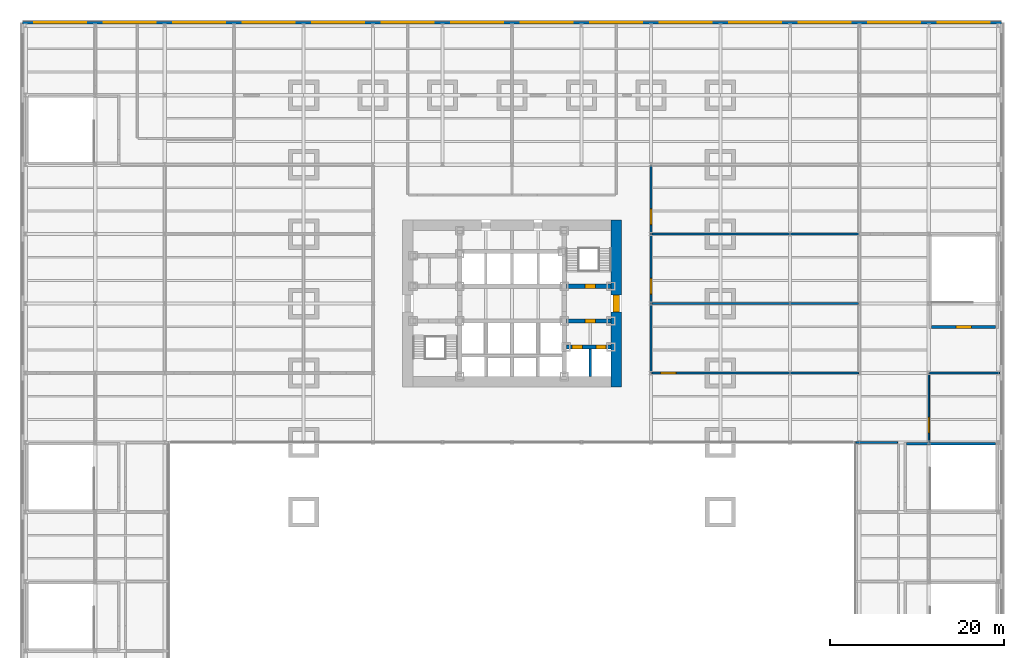
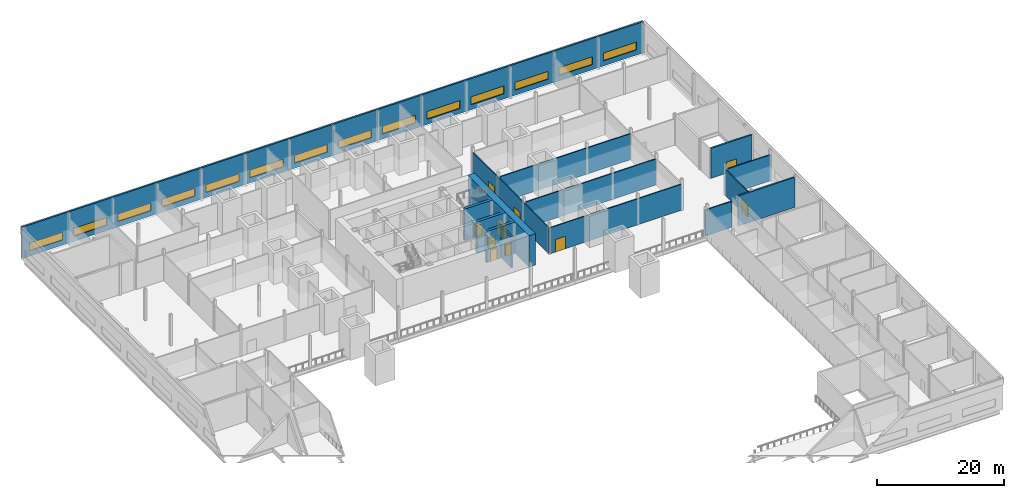
# One storey, part 16 of 21: 15 walls, 14 windows, 10 doors, 24 openings.
"""IFC4 building model written with IfcOpenShell, lengths in metres."""

from ifc_helpers import new_model, si_unit, direction, frame, frame_2d, origin, place, context, subcontext, project, spatial, rectangle, extrude, material, layer, layer_set, type_object, element, fill, save


model = new_model("IFC4")

# Units and contexts
model_context = context("Model", 3, precision=1e-05, world=origin(), true_north=direction((0.0, 1.0)))
body_context = subcontext(model_context, "Body", "Model", "MODEL_VIEW")
ifc_project = project(units=[si_unit("LENGTHUNIT", "METRE"), si_unit("AREAUNIT", "SQUARE_METRE"), si_unit("VOLUMEUNIT", "CUBIC_METRE"), si_unit("PLANEANGLEUNIT", "RADIAN"), si_unit("MASSUNIT", "GRAM", prefix="KILO")], contexts=[model_context])

# Site, building, storey
site_placement = place(None, origin())
site = spatial("IfcSite", under=ifc_project, at=site_placement, CompositionType="ELEMENT")
building_placement = place(site_placement, origin())
building = spatial("IfcBuilding", under=site, at=building_placement, Name="Daluyong Arena Tower", CompositionType="ELEMENT")
storey_placement = place(building_placement, frame((0.0, 0.0, 19.89990234375)))
storey = spatial("IfcBuildingStorey", under=building, at=storey_placement, Name="L04", CompositionType="ELEMENT", Elevation=19.89990234375)

# Wall, openings, doors
ifc_material_1 = material(Name="Concrete fc' 45 MPa", Category="concrete")
ifc_layer_1 = layer(ifc_material_1, 0.5)
ifc_layer_set_1 = layer_set([ifc_layer_1], Name="Concrete fc' 45 MPa")
wall_type_1 = type_object("IfcWallType", Name="Core inner wall 500", PredefinedType="SHEAR", material=ifc_layer_set_1)
wall_1_placement = place(storey_placement, frame((62.25, 75.0, 0.0), z_axis=(0.0, 0.0, 1.0), x_axis=(1.0, 0.0, 0.0)))
wall_1 = element("IfcWall", 1, at=wall_1_placement, inside=storey, type_object=wall_type_1, Name="core inner wall at L04", PredefinedType="SHEAR", context=body_context, shape_type="SweptSolid", body=[
    extrude(rectangle(XDim=5.14990234375, YDim=0.5, at=frame_2d((2.574951171875, 0.0))), origin(), (0.0, 0.0, 1.0), 6.0),
])
opening_1_placement = place(wall_1_placement, frame((0.64990234375, 0.0, 0.0)))
opening_1 = element("IfcOpeningElement", 2, at=opening_1_placement, cuts=wall_1, Name="Opening 04013", PredefinedType="OPENING", context=body_context, shape_type="SweptSolid", body=[
    extrude(rectangle(XDim=1.199951171875, YDim=2.199951171875, at=frame_2d((0.60009765625, 1.10009765625))), frame((0.0, 0.260009765625, 0.0), z_axis=(0.0, -1.0, 0.0), x_axis=(1.0, 0.0, 0.0)), (0.0, 0.0, 1.0), 0.52001953125),
])
opening_2_placement = place(wall_1_placement, frame((3.39990234375, 0.0, 0.0)))
opening_2 = element("IfcOpeningElement", 3, at=opening_2_placement, cuts=wall_1, Name="Opening 04014", PredefinedType="OPENING", context=body_context, shape_type="SweptSolid", body=[
    extrude(rectangle(XDim=1.199951171875, YDim=2.199951171875, at=frame_2d((0.60009765625, 1.10009765625))), frame((0.0, 0.260009765625, 0.0), z_axis=(0.0, -1.0, 0.0), x_axis=(1.0, 0.0, 0.0)), (0.0, 0.0, 1.0), 0.52001953125),
])
ifc_material_2 = material(Name="Steel door, fire rated", Category="steel")
door_type_1 = type_object("IfcDoorType", Name="Firefighting lift landing door 1200", OperationType="SLIDING_TO_LEFT", PredefinedType="DOOR", material=ifc_material_2)
door_1_placement = place(opening_1_placement, origin())
door_1 = element("IfcDoor", 4, at=door_1_placement, inside=storey, type_object=door_type_1, Name="firefighting lift landing door F1 04013", OperationType="SLIDING_TO_LEFT", OverallHeight=2.199951171875, OverallWidth=1.199951171875, PredefinedType="DOOR", context=body_context, shape_type="SweptSolid", body=[
    extrude(rectangle(XDim=1.199951171875, YDim=2.199951171875, at=frame_2d((0.60009765625, 1.10009765625))), frame((0.0, 0.249755859375, 0.0), z_axis=(0.0, -1.0, 0.0), x_axis=(1.0, 0.0, 0.0)), (0.0, 0.0, 1.0), 0.49951171875),
])
fill(opening_1, door_1)
door_2_placement = place(opening_2_placement, origin())
door_2 = element("IfcDoor", 5, at=door_2_placement, inside=storey, type_object=door_type_1, Name="firefighting lift landing door F2 04014", OperationType="SLIDING_TO_LEFT", OverallHeight=2.199951171875, OverallWidth=1.199951171875, PredefinedType="DOOR", context=body_context, shape_type="SweptSolid", body=[
    extrude(rectangle(XDim=1.199951171875, YDim=2.199951171875, at=frame_2d((0.60009765625, 1.10009765625))), frame((0.0, 0.249755859375, 0.0), z_axis=(0.0, -1.0, 0.0), x_axis=(1.0, 0.0, 0.0)), (0.0, 0.0, 1.0), 0.49951171875),
])
fill(opening_2, door_2)

# Wall, opening, door
wall_2_placement = place(storey_placement, frame((62.25, 78.0, 0.0), z_axis=(0.0, 0.0, 1.0), x_axis=(1.0, 0.0, 0.0)))
wall_2 = element("IfcWall", 6, at=wall_2_placement, inside=storey, type_object=wall_type_1, Name="core inner wall at L04", PredefinedType="SHEAR", context=body_context, shape_type="SweptSolid", body=[
    extrude(rectangle(XDim=5.14990234375, YDim=0.5, at=frame_2d((2.574951171875, 0.0))), origin(), (0.0, 0.0, 1.0), 6.0),
])
opening_3_placement = place(wall_2_placement, frame((2.14990234375, 0.0, 0.0)))
opening_3 = element("IfcOpeningElement", 7, at=opening_3_placement, cuts=wall_2, Name="Opening 04012", PredefinedType="OPENING", context=body_context, shape_type="SweptSolid", body=[
    extrude(rectangle(XDim=1.199951171875, YDim=2.10009765625, at=frame_2d((0.60009765625, 1.050048828125))), frame((0.0, 0.260009765625, 0.0), z_axis=(0.0, -1.0, 0.0), x_axis=(1.0, 0.0, 0.0)), (0.0, 0.0, 1.0), 0.52001953125),
])
ifc_material_3 = material(Name="Steel door, fire rated", Category="steel")
door_type_2 = type_object("IfcDoorType", Name="Firefighting lobby door 1200", OperationType="SINGLE_SWING_RIGHT", PredefinedType="DOOR", material=ifc_material_3)
door_3_placement = place(opening_3_placement, origin())
door_3 = element("IfcDoor", 8, at=door_3_placement, inside=storey, type_object=door_type_2, Name="firefighting lobby door 04012", OperationType="SINGLE_SWING_RIGHT", OverallHeight=2.10009765625, OverallWidth=1.199951171875, PredefinedType="DOOR", context=body_context, shape_type="SweptSolid", body=[
    extrude(rectangle(XDim=1.199951171875, YDim=2.10009765625, at=frame_2d((0.60009765625, 1.050048828125))), frame((0.0, 0.249755859375, 0.0), z_axis=(0.0, -1.0, 0.0), x_axis=(1.0, 0.0, 0.0)), (0.0, 0.0, 1.0), 0.49951171875),
])
fill(opening_3, door_3)

wall_3_placement = place(storey_placement, frame((62.25, 82.0, 0.0), z_axis=(0.0, 0.0, 1.0), x_axis=(1.0, 0.0, 0.0)))
wall_3 = element("IfcWall", 9, at=wall_3_placement, inside=storey, type_object=wall_type_1, Name="core inner wall at L04", PredefinedType="SHEAR", context=body_context, shape_type="SweptSolid", body=[
    extrude(rectangle(XDim=5.14990234375, YDim=0.5, at=frame_2d((2.574951171875, 0.0))), origin(), (0.0, 0.0, 1.0), 6.0),
])
opening_4_placement = place(wall_3_placement, frame((2.14990234375, 0.0, 0.0)))
opening_4 = element("IfcOpeningElement", 10, at=opening_4_placement, cuts=wall_3, Name="Opening 04007", PredefinedType="OPENING", context=body_context, shape_type="SweptSolid", body=[
    extrude(rectangle(XDim=1.199951171875, YDim=2.10009765625, at=frame_2d((0.60009765625, 1.050048828125))), frame((0.0, 0.260009765625, 0.0), z_axis=(0.0, -1.0, 0.0), x_axis=(1.0, 0.0, 0.0)), (0.0, 0.0, 1.0), 0.52001953125),
])
ifc_material_4 = material(Name="Steel door, fire rated", Category="steel")
door_type_3 = type_object("IfcDoorType", Name="Stair door 1200", OperationType="SINGLE_SWING_LEFT", PredefinedType="DOOR", material=ifc_material_4)
door_4_placement = place(opening_4_placement, origin())
door_4 = element("IfcDoor", 11, at=door_4_placement, inside=storey, type_object=door_type_3, Name="stair B door 04007", OperationType="SINGLE_SWING_LEFT", OverallHeight=2.10009765625, OverallWidth=1.199951171875, PredefinedType="DOOR", context=body_context, shape_type="SweptSolid", body=[
    extrude(rectangle(XDim=1.199951171875, YDim=2.10009765625, at=frame_2d((0.60009765625, 1.050048828125))), frame((0.0, 0.249755859375, 0.0), z_axis=(0.0, -1.0, 0.0), x_axis=(1.0, 0.0, 0.0)), (0.0, 0.0, 1.0), 0.49951171875),
])
fill(opening_4, door_4)

ifc_material_5 = material(Name="Concrete fc' 60 MPa", Category="concrete")
ifc_layer_2 = layer(ifc_material_5, 1.199951171875)
ifc_layer_set_2 = layer_set([ifc_layer_2], Name="Concrete fc' 60 MPa")
wall_type_2 = type_object("IfcWallType", Name="Core wall 1200", PredefinedType="SHEAR", material=ifc_layer_set_2)
wall_4_placement = place(storey_placement, frame((68.0, 70.39990234375, 0.0), z_axis=(0.0, 0.0, 1.0), x_axis=(0.0, 1.0, 0.0)))
wall_4 = element("IfcWall", 12, at=wall_4_placement, inside=storey, type_object=wall_type_2, Name="core wall at L04", PredefinedType="SHEAR", context=body_context, shape_type="SweptSolid", body=[
    extrude(rectangle(XDim=19.2001953125, YDim=1.199951171875, at=frame_2d((9.60009765625, 0.0))), origin(), (0.0, 0.0, 1.0), 6.0),
])
opening_5_placement = place(wall_4_placement, frame((8.60009765625, 0.0, 0.0)))
opening_5 = element("IfcOpeningElement", 13, at=opening_5_placement, cuts=wall_4, Name="Opening 04009", PredefinedType="OPENING", context=body_context, shape_type="SweptSolid", body=[
    extrude(rectangle(XDim=2.0, YDim=2.39990234375, at=frame_2d((1.0, 1.199951171875))), frame((0.0, 0.60986328125, 0.0), z_axis=(0.0, -1.0, 0.0), x_axis=(1.0, 0.0, 0.0)), (0.0, 0.0, 1.0), 1.219970703125),
])
ifc_material_6 = material(Name="Steel door, fire rated", Category="steel")
door_type_4 = type_object("IfcDoorType", Name="Core lobby double door 2000", OperationType="DOUBLE_DOOR_SINGLE_SWING", PredefinedType="DOOR", material=ifc_material_6)
door_5_placement = place(opening_5_placement, origin())
door_5 = element("IfcDoor", 14, at=door_5_placement, inside=storey, type_object=door_type_4, Name="core lobby door east 04009", OperationType="DOUBLE_DOOR_SINGLE_SWING", OverallHeight=2.39990234375, OverallWidth=2.0, PredefinedType="DOOR", context=body_context, shape_type="SweptSolid", body=[
    extrude(rectangle(XDim=2.0, YDim=2.39990234375, at=frame_2d((1.0, 1.199951171875))), frame((0.0, 0.35009765625, 0.0), z_axis=(0.0, -1.0, 0.0), x_axis=(1.0, 0.0, 0.0)), (0.0, 0.0, 1.0), 0.699951171875),
])
fill(opening_5, door_5)

# Walls
ifc_material_7 = material(Name="Concrete fc' 45 MPa", Category="concrete")
ifc_layer_3 = layer(ifc_material_7, 0.300048828125)
ifc_layer_set_3 = layer_set([ifc_layer_3], Name="Concrete fc' 45 MPa")
wall_type_3 = type_object("IfcWallType", Name="Lift shaft wall 300", PredefinedType="SHEAR", material=ifc_layer_set_3)
wall_5_placement = place(storey_placement, frame((65.0, 71.60009765625, 0.0), z_axis=(0.0, 0.0, 1.0), x_axis=(0.0, 1.0, 0.0)))
element("IfcWall", 15, at=wall_5_placement, inside=storey, type_object=wall_type_3, Name="lift shaft wall at L04", PredefinedType="SHEAR", context=body_context, shape_type="SweptSolid", body=[
    extrude(rectangle(XDim=3.14990234375, YDim=0.300048828125, at=frame_2d((1.574951171875, 0.0))), origin(), (0.0, 0.0, 1.0), 6.0),
])
ifc_material_8 = material(Name="Concrete block partition", Category="concrete")
ifc_layer_4 = layer(ifc_material_8, 0.199951171875)
ifc_layer_set_4 = layer_set([ifc_layer_4], Name="Concrete block partition")
wall_type_4 = type_object("IfcWallType", Name="Partition 200", PredefinedType="PARTITIONING", material=ifc_layer_set_4)
wall_6_placement = place(storey_placement, frame((95.60009765625, 64.0, 0.0), z_axis=(0.0, 0.0, 1.0), x_axis=(1.0, 0.0, 0.0)))
element("IfcWall", 16, at=wall_6_placement, inside=storey, type_object=wall_type_4, Name="partition at L04", PredefinedType="PARTITIONING", context=body_context, shape_type="SweptSolid", body=[
    extrude(rectangle(XDim=4.7998046875, YDim=0.199951171875, at=frame_2d((2.39990234375, 0.0))), origin(), (0.0, 0.0, 1.0), 4.977783203125),
])

# Wall, opening, door
wall_7_placement = place(storey_placement, frame((72.10009765625, 72.0, 0.0), z_axis=(0.0, 0.0, 1.0), x_axis=(1.0, 0.0, 0.0)))
wall_7 = element("IfcWall", 17, at=wall_7_placement, inside=storey, type_object=wall_type_4, Name="partition at L04", PredefinedType="PARTITIONING", context=body_context, shape_type="SweptSolid", body=[
    extrude(rectangle(XDim=23.7998046875, YDim=0.199951171875, at=frame_2d((11.89990234375, 0.0))), origin(), (0.0, 0.0, 1.0), 4.977783203125),
])
opening_6_placement = place(wall_7_placement, frame((1.0, 0.0, 0.0)))
opening_6 = element("IfcOpeningElement", 18, at=opening_6_placement, cuts=wall_7, Name="Opening 04073", PredefinedType="OPENING", context=body_context, shape_type="SweptSolid", body=[
    extrude(rectangle(XDim=1.800048828125, YDim=2.39990234375, at=frame_2d((0.89990234375, 1.199951171875))), frame((0.0, 0.10986328125, 0.0), z_axis=(0.0, -1.0, 0.0), x_axis=(1.0, 0.0, 0.0)), (0.0, 0.0, 1.0), 0.219970703125),
])
ifc_material_9 = material(Name="Timber door", Category="wood")
door_type_5 = type_object("IfcDoorType", Name="Assembly double door 1800", OperationType="DOUBLE_DOOR_DOUBLE_SWING", PredefinedType="DOOR", material=ifc_material_9)
door_6_placement = place(opening_6_placement, origin())
door_6 = element("IfcDoor", 19, at=door_6_placement, inside=storey, type_object=door_type_5, Name="party suite door 04073", OperationType="DOUBLE_DOOR_DOUBLE_SWING", OverallHeight=2.39990234375, OverallWidth=1.800048828125, PredefinedType="DOOR", context=body_context, shape_type="SweptSolid", body=[
    extrude(rectangle(XDim=1.800048828125, YDim=2.39990234375, at=frame_2d((0.89990234375, 1.199951171875))), frame((0.0, 0.099609375, 0.0), z_axis=(0.0, -1.0, 0.0), x_axis=(1.0, 0.0, 0.0)), (0.0, 0.0, 1.0), 0.199462890625),
])
fill(opening_6, door_6)

# Walls
wall_8_placement = place(storey_placement, frame((104.10009765625, 72.0, 0.0), z_axis=(0.0, 0.0, 1.0), x_axis=(1.0, 0.0, 0.0)))
element("IfcWall", 20, at=wall_8_placement, inside=storey, type_object=wall_type_4, Name="partition at L04", PredefinedType="PARTITIONING", context=body_context, shape_type="SweptSolid", body=[
    extrude(rectangle(XDim=8.0498046875, YDim=0.199951171875, at=frame_2d((4.02490234375, 0.0))), origin(), (0.0, 0.0, 1.0), 4.977783203125),
])
wall_9_placement = place(storey_placement, frame((72.10009765625, 80.0, 0.0), z_axis=(0.0, 0.0, 1.0), x_axis=(1.0, 0.0, 0.0)))
element("IfcWall", 21, at=wall_9_placement, inside=storey, type_object=wall_type_4, Name="partition at L04", PredefinedType="PARTITIONING", context=body_context, shape_type="SweptSolid", body=[
    extrude(rectangle(XDim=23.7998046875, YDim=0.199951171875, at=frame_2d((11.89990234375, 0.0))), origin(), (0.0, 0.0, 1.0), 4.977783203125),
])
wall_10_placement = place(storey_placement, frame((72.10009765625, 88.0, 0.0), z_axis=(0.0, 0.0, 1.0), x_axis=(1.0, 0.0, 0.0)))
element("IfcWall", 22, at=wall_10_placement, inside=storey, type_object=wall_type_4, Name="partition at L04", PredefinedType="PARTITIONING", context=body_context, shape_type="SweptSolid", body=[
    extrude(rectangle(XDim=23.89990234375, YDim=0.199951171875, at=frame_2d((11.949951171875, 0.0))), origin(), (0.0, 0.0, 1.0), 4.977783203125),
])

# Wall, openings, doors
wall_11_placement = place(storey_placement, frame((72.0, 72.10009765625, 0.0), z_axis=(0.0, 0.0, 1.0), x_axis=(0.0, 1.0, 0.0)))
wall_11 = element("IfcWall", 23, at=wall_11_placement, inside=storey, type_object=wall_type_4, Name="partition at L04", PredefinedType="PARTITIONING", context=body_context, shape_type="SweptSolid", body=[
    extrude(rectangle(XDim=23.7998046875, YDim=0.199951171875, at=frame_2d((11.89990234375, 0.0))), origin(), (0.0, 0.0, 1.0), 4.977783203125),
])
opening_7_placement = place(wall_11_placement, frame((9.0, 0.0, 0.0)))
opening_7 = element("IfcOpeningElement", 24, at=opening_7_placement, cuts=wall_11, Name="Opening 04074", PredefinedType="OPENING", context=body_context, shape_type="SweptSolid", body=[
    extrude(rectangle(XDim=1.800048828125, YDim=2.39990234375, at=frame_2d((0.89990234375, 1.199951171875))), frame((0.0, 0.10986328125, 0.0), z_axis=(0.0, -1.0, 0.0), x_axis=(1.0, 0.0, 0.0)), (0.0, 0.0, 1.0), 0.219970703125),
])
opening_8_placement = place(wall_11_placement, frame((17.0, 0.0, 0.0)))
opening_8 = element("IfcOpeningElement", 25, at=opening_8_placement, cuts=wall_11, Name="Opening 04075", PredefinedType="OPENING", context=body_context, shape_type="SweptSolid", body=[
    extrude(rectangle(XDim=1.800048828125, YDim=2.39990234375, at=frame_2d((0.89990234375, 1.199951171875))), frame((0.0, 0.10986328125, 0.0), z_axis=(0.0, -1.0, 0.0), x_axis=(1.0, 0.0, 0.0)), (0.0, 0.0, 1.0), 0.219970703125),
])
door_7_placement = place(opening_7_placement, origin())
door_7 = element("IfcDoor", 26, at=door_7_placement, inside=storey, type_object=door_type_5, Name="party suite door 04074", OperationType="DOUBLE_DOOR_DOUBLE_SWING", OverallHeight=2.39990234375, OverallWidth=1.800048828125, PredefinedType="DOOR", context=body_context, shape_type="SweptSolid", body=[
    extrude(rectangle(XDim=1.800048828125, YDim=2.39990234375, at=frame_2d((0.89990234375, 1.199951171875))), frame((0.0, 0.099609375, 0.0), z_axis=(0.0, -1.0, 0.0), x_axis=(1.0, 0.0, 0.0)), (0.0, 0.0, 1.0), 0.199462890625),
])
fill(opening_7, door_7)
door_8_placement = place(opening_8_placement, origin())
door_8 = element("IfcDoor", 27, at=door_8_placement, inside=storey, type_object=door_type_5, Name="club bar door 04075", OperationType="DOUBLE_DOOR_DOUBLE_SWING", OverallHeight=2.39990234375, OverallWidth=1.800048828125, PredefinedType="DOOR", context=body_context, shape_type="SweptSolid", body=[
    extrude(rectangle(XDim=1.800048828125, YDim=2.39990234375, at=frame_2d((0.89990234375, 1.199951171875))), frame((0.0, 0.099609375, 0.0), z_axis=(0.0, -1.0, 0.0), x_axis=(1.0, 0.0, 0.0)), (0.0, 0.0, 1.0), 0.199462890625),
])
fill(opening_8, door_8)

# Wall, opening, door
wall_12_placement = place(storey_placement, frame((104.0, 64.10009765625, 0.0), z_axis=(0.0, 0.0, 1.0), x_axis=(0.0, 1.0, 0.0)))
wall_12 = element("IfcWall", 28, at=wall_12_placement, inside=storey, type_object=wall_type_4, Name="partition at L04", PredefinedType="PARTITIONING", context=body_context, shape_type="SweptSolid", body=[
    extrude(rectangle(XDim=7.7998046875, YDim=0.199951171875, at=frame_2d((3.89990234375, 0.0))), origin(), (0.0, 0.0, 1.0), 4.977783203125),
])
opening_9_placement = place(wall_12_placement, frame((1.0, 0.0, 0.0)))
opening_9 = element("IfcOpeningElement", 29, at=opening_9_placement, cuts=wall_12, Name="Opening 04036", PredefinedType="OPENING", context=body_context, shape_type="SweptSolid", body=[
    extrude(rectangle(XDim=1.800048828125, YDim=2.39990234375, at=frame_2d((0.89990234375, 1.199951171875))), frame((0.0, 0.10986328125, 0.0), z_axis=(0.0, -1.0, 0.0), x_axis=(1.0, 0.0, 0.0)), (0.0, 0.0, 1.0), 0.219970703125),
])
door_9_placement = place(opening_9_placement, origin())
door_9 = element("IfcDoor", 30, at=door_9_placement, inside=storey, type_object=door_type_5, Name="party suite door 04036", OperationType="DOUBLE_DOOR_DOUBLE_SWING", OverallHeight=2.39990234375, OverallWidth=1.800048828125, PredefinedType="DOOR", context=body_context, shape_type="SweptSolid", body=[
    extrude(rectangle(XDim=1.800048828125, YDim=2.39990234375, at=frame_2d((0.89990234375, 1.199951171875))), frame((0.0, 0.099609375, 0.0), z_axis=(0.0, -1.0, 0.0), x_axis=(1.0, 0.0, 0.0)), (0.0, 0.0, 1.0), 0.199462890625),
])
fill(opening_9, door_9)

# Wall, openings, windows
ifc_material_10 = material(Name="Precast concrete fc' 45 MPa", Category="concrete")
ifc_layer_5 = layer(ifc_material_10, 0.300048828125)
ifc_layer_set_5 = layer_set([ifc_layer_5], Name="Precast concrete fc' 45 MPa")
wall_type_5 = type_object("IfcWallType", Name="Podium precast band wall 300", PredefinedType="SOLIDWALL", material=ifc_layer_set_5)
wall_13_placement = place(storey_placement, frame((112.35009765625, 112.35009765625, 0.0), z_axis=(0.0, 0.0, 1.0), x_axis=(-1.0, 0.0, 0.0)))
wall_13 = element("IfcWall", 31, at=wall_13_placement, inside=storey, type_object=wall_type_5, Name="podium wall N L04", PredefinedType="SOLIDWALL", context=body_context, shape_type="SweptSolid", body=[
    extrude(rectangle(XDim=112.7001953125, YDim=0.300048828125, at=frame_2d((56.35009765625, 0.0))), origin(), (0.0, 0.0, 1.0), 6.0),
])
opening_10_placement = place(wall_13_placement, frame((1.35009765625, 0.0, 1.0)))
opening_10 = element("IfcOpeningElement", 32, at=opening_10_placement, cuts=wall_13, Name="Opening W1", PredefinedType="OPENING", context=body_context, shape_type="SweptSolid", body=[
    extrude(rectangle(XDim=6.0, YDim=1.5, at=frame_2d((3.0, 0.75))), frame((0.0, 0.159912109375, 0.0), z_axis=(0.0, -1.0, 0.0), x_axis=(1.0, 0.0, 0.0)), (0.0, 0.0, 1.0), 0.320068359375),
])
opening_11_placement = place(wall_13_placement, frame((9.35009765625, 0.0, 1.0)))
opening_11 = element("IfcOpeningElement", 33, at=opening_11_placement, cuts=wall_13, Name="Opening W1", PredefinedType="OPENING", context=body_context, shape_type="SweptSolid", body=[
    extrude(rectangle(XDim=6.0, YDim=1.5, at=frame_2d((3.0, 0.75))), frame((0.0, 0.159912109375, 0.0), z_axis=(0.0, -1.0, 0.0), x_axis=(1.0, 0.0, 0.0)), (0.0, 0.0, 1.0), 0.320068359375),
])
opening_12_placement = place(wall_13_placement, frame((17.35009765625, 0.0, 1.0)))
opening_12 = element("IfcOpeningElement", 34, at=opening_12_placement, cuts=wall_13, Name="Opening W1", PredefinedType="OPENING", context=body_context, shape_type="SweptSolid", body=[
    extrude(rectangle(XDim=6.0, YDim=1.5, at=frame_2d((3.0, 0.75))), frame((0.0, 0.159912109375, 0.0), z_axis=(0.0, -1.0, 0.0), x_axis=(1.0, 0.0, 0.0)), (0.0, 0.0, 1.0), 0.320068359375),
])
opening_13_placement = place(wall_13_placement, frame((25.35009765625, 0.0, 1.0)))
opening_13 = element("IfcOpeningElement", 35, at=opening_13_placement, cuts=wall_13, Name="Opening W1", PredefinedType="OPENING", context=body_context, shape_type="SweptSolid", body=[
    extrude(rectangle(XDim=6.0, YDim=1.5, at=frame_2d((3.0, 0.75))), frame((0.0, 0.159912109375, 0.0), z_axis=(0.0, -1.0, 0.0), x_axis=(1.0, 0.0, 0.0)), (0.0, 0.0, 1.0), 0.320068359375),
])
opening_14_placement = place(wall_13_placement, frame((33.35009765625, 0.0, 1.0)))
opening_14 = element("IfcOpeningElement", 36, at=opening_14_placement, cuts=wall_13, Name="Opening W1", PredefinedType="OPENING", context=body_context, shape_type="SweptSolid", body=[
    extrude(rectangle(XDim=6.0, YDim=1.5, at=frame_2d((3.0, 0.75))), frame((0.0, 0.159912109375, 0.0), z_axis=(0.0, -1.0, 0.0), x_axis=(1.0, 0.0, 0.0)), (0.0, 0.0, 1.0), 0.320068359375),
])
opening_15_placement = place(wall_13_placement, frame((41.35009765625, 0.0, 1.0)))
opening_15 = element("IfcOpeningElement", 37, at=opening_15_placement, cuts=wall_13, Name="Opening W1", PredefinedType="OPENING", context=body_context, shape_type="SweptSolid", body=[
    extrude(rectangle(XDim=6.0, YDim=1.5, at=frame_2d((3.0, 0.75))), frame((0.0, 0.159912109375, 0.0), z_axis=(0.0, -1.0, 0.0), x_axis=(1.0, 0.0, 0.0)), (0.0, 0.0, 1.0), 0.320068359375),
])
opening_16_placement = place(wall_13_placement, frame((49.35009765625, 0.0, 1.0)))
opening_16 = element("IfcOpeningElement", 38, at=opening_16_placement, cuts=wall_13, Name="Opening W1", PredefinedType="OPENING", context=body_context, shape_type="SweptSolid", body=[
    extrude(rectangle(XDim=6.0, YDim=1.5, at=frame_2d((3.0, 0.75))), frame((0.0, 0.159912109375, 0.0), z_axis=(0.0, -1.0, 0.0), x_axis=(1.0, 0.0, 0.0)), (0.0, 0.0, 1.0), 0.320068359375),
])
opening_17_placement = place(wall_13_placement, frame((57.35009765625, 0.0, 1.0)))
opening_17 = element("IfcOpeningElement", 39, at=opening_17_placement, cuts=wall_13, Name="Opening W1", PredefinedType="OPENING", context=body_context, shape_type="SweptSolid", body=[
    extrude(rectangle(XDim=6.0, YDim=1.5, at=frame_2d((3.0, 0.75))), frame((0.0, 0.159912109375, 0.0), z_axis=(0.0, -1.0, 0.0), x_axis=(1.0, 0.0, 0.0)), (0.0, 0.0, 1.0), 0.320068359375),
])
opening_18_placement = place(wall_13_placement, frame((65.35009765625, 0.0, 1.0)))
opening_18 = element("IfcOpeningElement", 40, at=opening_18_placement, cuts=wall_13, Name="Opening W1", PredefinedType="OPENING", context=body_context, shape_type="SweptSolid", body=[
    extrude(rectangle(XDim=6.0, YDim=1.5, at=frame_2d((3.0, 0.75))), frame((0.0, 0.159912109375, 0.0), z_axis=(0.0, -1.0, 0.0), x_axis=(1.0, 0.0, 0.0)), (0.0, 0.0, 1.0), 0.320068359375),
])
opening_19_placement = place(wall_13_placement, frame((73.35009765625, 0.0, 1.0)))
opening_19 = element("IfcOpeningElement", 41, at=opening_19_placement, cuts=wall_13, Name="Opening W1", PredefinedType="OPENING", context=body_context, shape_type="SweptSolid", body=[
    extrude(rectangle(XDim=6.0, YDim=1.5, at=frame_2d((3.0, 0.75))), frame((0.0, 0.159912109375, 0.0), z_axis=(0.0, -1.0, 0.0), x_axis=(1.0, 0.0, 0.0)), (0.0, 0.0, 1.0), 0.320068359375),
])
opening_20_placement = place(wall_13_placement, frame((81.35009765625, 0.0, 1.0)))
opening_20 = element("IfcOpeningElement", 42, at=opening_20_placement, cuts=wall_13, Name="Opening W1", PredefinedType="OPENING", context=body_context, shape_type="SweptSolid", body=[
    extrude(rectangle(XDim=6.0, YDim=1.5, at=frame_2d((3.0, 0.75))), frame((0.0, 0.159912109375, 0.0), z_axis=(0.0, -1.0, 0.0), x_axis=(1.0, 0.0, 0.0)), (0.0, 0.0, 1.0), 0.320068359375),
])
opening_21_placement = place(wall_13_placement, frame((89.35009765625, 0.0, 1.0)))
opening_21 = element("IfcOpeningElement", 43, at=opening_21_placement, cuts=wall_13, Name="Opening W1", PredefinedType="OPENING", context=body_context, shape_type="SweptSolid", body=[
    extrude(rectangle(XDim=6.0, YDim=1.5, at=frame_2d((3.0, 0.75))), frame((0.0, 0.159912109375, 0.0), z_axis=(0.0, -1.0, 0.0), x_axis=(1.0, 0.0, 0.0)), (0.0, 0.0, 1.0), 0.320068359375),
])
opening_22_placement = place(wall_13_placement, frame((97.35009765625, 0.0, 1.0)))
opening_22 = element("IfcOpeningElement", 44, at=opening_22_placement, cuts=wall_13, Name="Opening W1", PredefinedType="OPENING", context=body_context, shape_type="SweptSolid", body=[
    extrude(rectangle(XDim=6.0, YDim=1.5, at=frame_2d((3.0, 0.75))), frame((0.0, 0.159912109375, 0.0), z_axis=(0.0, -1.0, 0.0), x_axis=(1.0, 0.0, 0.0)), (0.0, 0.0, 1.0), 0.320068359375),
])
opening_23_placement = place(wall_13_placement, frame((105.35009765625, 0.0, 1.0)))
opening_23 = element("IfcOpeningElement", 45, at=opening_23_placement, cuts=wall_13, Name="Opening W1", PredefinedType="OPENING", context=body_context, shape_type="SweptSolid", body=[
    extrude(rectangle(XDim=6.0, YDim=1.5, at=frame_2d((3.0, 0.75))), frame((0.0, 0.159912109375, 0.0), z_axis=(0.0, -1.0, 0.0), x_axis=(1.0, 0.0, 0.0)), (0.0, 0.0, 1.0), 0.320068359375),
])
ifc_material_11 = material(Name="Bronze aluminium window, tinted glass", Category="aluminium")
window_type = type_object("IfcWindowType", Name="Ribbon window 6000x1500", PartitioningType="TRIPLE_PANEL_HORIZONTAL", PredefinedType="WINDOW", material=ifc_material_11)
window_1_placement = place(opening_10_placement, origin())
window_1 = element("IfcWindow", 46, at=window_1_placement, inside=storey, type_object=window_type, Name="ribbon window N", OverallHeight=1.5, OverallWidth=6.0, PartitioningType="SINGLE_PANEL", PredefinedType="WINDOW", context=body_context, shape_type="SweptSolid", body=[
    extrude(rectangle(XDim=6.0, YDim=1.5, at=frame_2d((3.0, 0.75))), frame((0.0, 0.030029296875, 0.0), z_axis=(0.0, -1.0, 0.0), x_axis=(1.0, 0.0, 0.0)), (0.0, 0.0, 1.0), 0.06005859375),
])
fill(opening_10, window_1)
window_2_placement = place(opening_11_placement, origin())
window_2 = element("IfcWindow", 47, at=window_2_placement, inside=storey, type_object=window_type, Name="ribbon window N", OverallHeight=1.5, OverallWidth=6.0, PartitioningType="SINGLE_PANEL", PredefinedType="WINDOW", context=body_context, shape_type="SweptSolid", body=[
    extrude(rectangle(XDim=6.0, YDim=1.5, at=frame_2d((3.0, 0.75))), frame((0.0, 0.030029296875, 0.0), z_axis=(0.0, -1.0, 0.0), x_axis=(1.0, 0.0, 0.0)), (0.0, 0.0, 1.0), 0.06005859375),
])
fill(opening_11, window_2)
window_3_placement = place(opening_12_placement, origin())
window_3 = element("IfcWindow", 48, at=window_3_placement, inside=storey, type_object=window_type, Name="ribbon window N", OverallHeight=1.5, OverallWidth=6.0, PartitioningType="SINGLE_PANEL", PredefinedType="WINDOW", context=body_context, shape_type="SweptSolid", body=[
    extrude(rectangle(XDim=6.0, YDim=1.5, at=frame_2d((3.0, 0.75))), frame((0.0, 0.030029296875, 0.0), z_axis=(0.0, -1.0, 0.0), x_axis=(1.0, 0.0, 0.0)), (0.0, 0.0, 1.0), 0.06005859375),
])
fill(opening_12, window_3)
window_4_placement = place(opening_13_placement, origin())
window_4 = element("IfcWindow", 49, at=window_4_placement, inside=storey, type_object=window_type, Name="ribbon window N", OverallHeight=1.5, OverallWidth=6.0, PartitioningType="SINGLE_PANEL", PredefinedType="WINDOW", context=body_context, shape_type="SweptSolid", body=[
    extrude(rectangle(XDim=6.0, YDim=1.5, at=frame_2d((3.0, 0.75))), frame((0.0, 0.030029296875, 0.0), z_axis=(0.0, -1.0, 0.0), x_axis=(1.0, 0.0, 0.0)), (0.0, 0.0, 1.0), 0.06005859375),
])
fill(opening_13, window_4)
window_5_placement = place(opening_14_placement, origin())
window_5 = element("IfcWindow", 50, at=window_5_placement, inside=storey, type_object=window_type, Name="ribbon window N", OverallHeight=1.5, OverallWidth=6.0, PartitioningType="SINGLE_PANEL", PredefinedType="WINDOW", context=body_context, shape_type="SweptSolid", body=[
    extrude(rectangle(XDim=6.0, YDim=1.5, at=frame_2d((3.0, 0.75))), frame((0.0, 0.030029296875, 0.0), z_axis=(0.0, -1.0, 0.0), x_axis=(1.0, 0.0, 0.0)), (0.0, 0.0, 1.0), 0.06005859375),
])
fill(opening_14, window_5)
window_6_placement = place(opening_15_placement, origin())
window_6 = element("IfcWindow", 51, at=window_6_placement, inside=storey, type_object=window_type, Name="ribbon window N", OverallHeight=1.5, OverallWidth=6.0, PartitioningType="SINGLE_PANEL", PredefinedType="WINDOW", context=body_context, shape_type="SweptSolid", body=[
    extrude(rectangle(XDim=6.0, YDim=1.5, at=frame_2d((3.0, 0.75))), frame((0.0, 0.030029296875, 0.0), z_axis=(0.0, -1.0, 0.0), x_axis=(1.0, 0.0, 0.0)), (0.0, 0.0, 1.0), 0.06005859375),
])
fill(opening_15, window_6)
window_7_placement = place(opening_16_placement, origin())
window_7 = element("IfcWindow", 52, at=window_7_placement, inside=storey, type_object=window_type, Name="ribbon window N", OverallHeight=1.5, OverallWidth=6.0, PartitioningType="SINGLE_PANEL", PredefinedType="WINDOW", context=body_context, shape_type="SweptSolid", body=[
    extrude(rectangle(XDim=6.0, YDim=1.5, at=frame_2d((3.0, 0.75))), frame((0.0, 0.030029296875, 0.0), z_axis=(0.0, -1.0, 0.0), x_axis=(1.0, 0.0, 0.0)), (0.0, 0.0, 1.0), 0.06005859375),
])
fill(opening_16, window_7)
window_8_placement = place(opening_17_placement, origin())
window_8 = element("IfcWindow", 53, at=window_8_placement, inside=storey, type_object=window_type, Name="ribbon window N", OverallHeight=1.5, OverallWidth=6.0, PartitioningType="SINGLE_PANEL", PredefinedType="WINDOW", context=body_context, shape_type="SweptSolid", body=[
    extrude(rectangle(XDim=6.0, YDim=1.5, at=frame_2d((3.0, 0.75))), frame((0.0, 0.030029296875, 0.0), z_axis=(0.0, -1.0, 0.0), x_axis=(1.0, 0.0, 0.0)), (0.0, 0.0, 1.0), 0.06005859375),
])
fill(opening_17, window_8)
window_9_placement = place(opening_18_placement, origin())
window_9 = element("IfcWindow", 54, at=window_9_placement, inside=storey, type_object=window_type, Name="ribbon window N", OverallHeight=1.5, OverallWidth=6.0, PartitioningType="SINGLE_PANEL", PredefinedType="WINDOW", context=body_context, shape_type="SweptSolid", body=[
    extrude(rectangle(XDim=6.0, YDim=1.5, at=frame_2d((3.0, 0.75))), frame((0.0, 0.030029296875, 0.0), z_axis=(0.0, -1.0, 0.0), x_axis=(1.0, 0.0, 0.0)), (0.0, 0.0, 1.0), 0.06005859375),
])
fill(opening_18, window_9)
window_10_placement = place(opening_19_placement, origin())
window_10 = element("IfcWindow", 55, at=window_10_placement, inside=storey, type_object=window_type, Name="ribbon window N", OverallHeight=1.5, OverallWidth=6.0, PartitioningType="SINGLE_PANEL", PredefinedType="WINDOW", context=body_context, shape_type="SweptSolid", body=[
    extrude(rectangle(XDim=6.0, YDim=1.5, at=frame_2d((3.0, 0.75))), frame((0.0, 0.030029296875, 0.0), z_axis=(0.0, -1.0, 0.0), x_axis=(1.0, 0.0, 0.0)), (0.0, 0.0, 1.0), 0.06005859375),
])
fill(opening_19, window_10)
window_11_placement = place(opening_20_placement, origin())
window_11 = element("IfcWindow", 56, at=window_11_placement, inside=storey, type_object=window_type, Name="ribbon window N", OverallHeight=1.5, OverallWidth=6.0, PartitioningType="SINGLE_PANEL", PredefinedType="WINDOW", context=body_context, shape_type="SweptSolid", body=[
    extrude(rectangle(XDim=6.0, YDim=1.5, at=frame_2d((3.0, 0.75))), frame((0.0, 0.030029296875, 0.0), z_axis=(0.0, -1.0, 0.0), x_axis=(1.0, 0.0, 0.0)), (0.0, 0.0, 1.0), 0.06005859375),
])
fill(opening_20, window_11)
window_12_placement = place(opening_21_placement, origin())
window_12 = element("IfcWindow", 57, at=window_12_placement, inside=storey, type_object=window_type, Name="ribbon window N", OverallHeight=1.5, OverallWidth=6.0, PartitioningType="SINGLE_PANEL", PredefinedType="WINDOW", context=body_context, shape_type="SweptSolid", body=[
    extrude(rectangle(XDim=6.0, YDim=1.5, at=frame_2d((3.0, 0.75))), frame((0.0, 0.030029296875, 0.0), z_axis=(0.0, -1.0, 0.0), x_axis=(1.0, 0.0, 0.0)), (0.0, 0.0, 1.0), 0.06005859375),
])
fill(opening_21, window_12)
window_13_placement = place(opening_22_placement, origin())
window_13 = element("IfcWindow", 58, at=window_13_placement, inside=storey, type_object=window_type, Name="ribbon window N", OverallHeight=1.5, OverallWidth=6.0, PartitioningType="SINGLE_PANEL", PredefinedType="WINDOW", context=body_context, shape_type="SweptSolid", body=[
    extrude(rectangle(XDim=6.0, YDim=1.5, at=frame_2d((3.0, 0.75))), frame((0.0, 0.030029296875, 0.0), z_axis=(0.0, -1.0, 0.0), x_axis=(1.0, 0.0, 0.0)), (0.0, 0.0, 1.0), 0.06005859375),
])
fill(opening_22, window_13)
window_14_placement = place(opening_23_placement, origin())
window_14 = element("IfcWindow", 59, at=window_14_placement, inside=storey, type_object=window_type, Name="ribbon window N", OverallHeight=1.5, OverallWidth=6.0, PartitioningType="SINGLE_PANEL", PredefinedType="WINDOW", context=body_context, shape_type="SweptSolid", body=[
    extrude(rectangle(XDim=6.0, YDim=1.5, at=frame_2d((3.0, 0.75))), frame((0.0, 0.030029296875, 0.0), z_axis=(0.0, -1.0, 0.0), x_axis=(1.0, 0.0, 0.0)), (0.0, 0.0, 1.0), 0.06005859375),
])
fill(opening_23, window_14)

# Wall, opening, door
ifc_material_12 = material(Name="Concrete fc' 35 MPa", Category="concrete")
ifc_layer_6 = layer(ifc_material_12, 0.300048828125)
ifc_layer_set_6 = layer_set([ifc_layer_6], Name="Concrete fc' 35 MPa")
wall_type_6 = type_object("IfcWallType", Name="Stair enclosure wall 300", PredefinedType="SOLIDWALL", material=ifc_layer_set_6)
wall_14_placement = place(storey_placement, frame((104.300048828125, 77.300048828125, 0.0), z_axis=(0.0, 0.0, 1.0), x_axis=(1.0, 0.0, 0.0)))
wall_14 = element("IfcWall", 60, at=wall_14_placement, inside=storey, type_object=wall_type_6, Name="exit stair PS6 enclosure", PredefinedType="SOLIDWALL", context=body_context, shape_type="SweptSolid", body=[
    extrude(rectangle(XDim=7.39990234375, YDim=0.300048828125, at=frame_2d((3.699951171875, 0.0))), origin(), (0.0, 0.0, 1.0), 5.75),
])
opening_24_placement = place(wall_14_placement, frame((2.800048828125, 0.0, 0.0)))
opening_24 = element("IfcOpeningElement", 61, at=opening_24_placement, cuts=wall_14, Name="Opening 04020", PredefinedType="OPENING", context=body_context, shape_type="SweptSolid", body=[
    extrude(rectangle(XDim=1.800048828125, YDim=2.10009765625, at=frame_2d((0.89990234375, 1.050048828125))), frame((0.0, 0.159912109375, 0.0), z_axis=(0.0, -1.0, 0.0), x_axis=(1.0, 0.0, 0.0)), (0.0, 0.0, 1.0), 0.320068359375),
])
ifc_material_13 = material(Name="Steel door, fire rated", Category="steel")
door_type_6 = type_object("IfcDoorType", Name="Exit stair double door 1800", OperationType="DOUBLE_DOOR_SINGLE_SWING", PredefinedType="DOOR", material=ifc_material_13)
door_10_placement = place(opening_24_placement, origin())
door_10 = element("IfcDoor", 62, at=door_10_placement, inside=storey, type_object=door_type_6, Name="exit stair PS6 door 04020", OperationType="DOUBLE_DOOR_SINGLE_SWING", OverallHeight=2.10009765625, OverallWidth=1.800048828125, PredefinedType="DOOR", context=body_context, shape_type="SweptSolid", body=[
    extrude(rectangle(XDim=1.800048828125, YDim=2.10009765625, at=frame_2d((0.89990234375, 1.050048828125))), frame((0.0, 0.14990234375, 0.0), z_axis=(0.0, -1.0, 0.0), x_axis=(1.0, 0.0, 0.0)), (0.0, 0.0, 1.0), 0.299560546875),
])
fill(opening_24, door_10)

# Wall
wall_15_placement = place(storey_placement, frame((101.449951171875, 63.85009765625, 0.0), z_axis=(0.0, 0.0, 1.0), x_axis=(1.0, 0.0, 0.0)))
element("IfcWall", 63, at=wall_15_placement, inside=storey, type_object=wall_type_6, Name="exit stair PS8 enclosure", PredefinedType="SOLIDWALL", context=body_context, shape_type="SweptSolid", body=[
    extrude(rectangle(XDim=10.25, YDim=0.300048828125, at=frame_2d((5.125, 0.0))), origin(), (0.0, 0.0, 1.0), 5.75),
])

save(model, "model.ifc")
